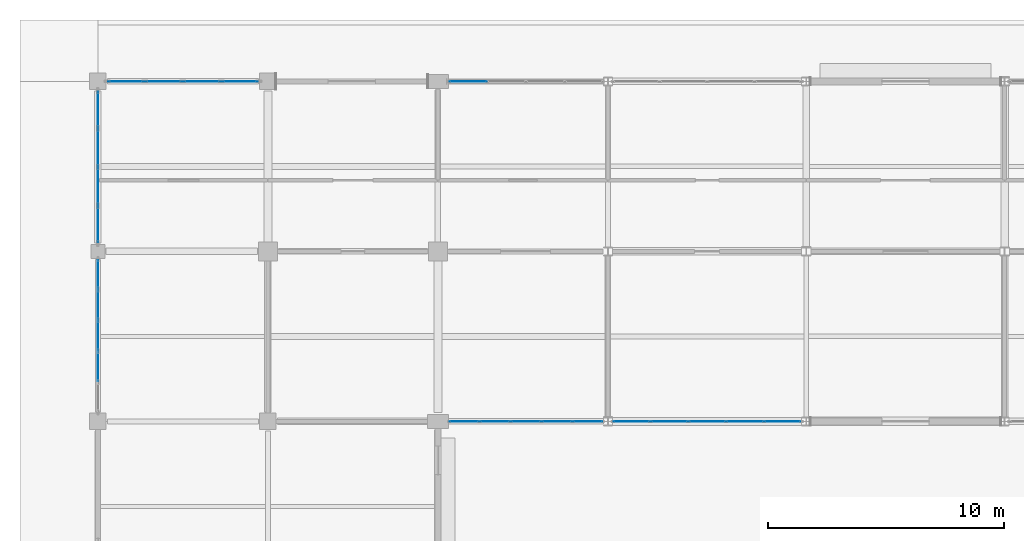
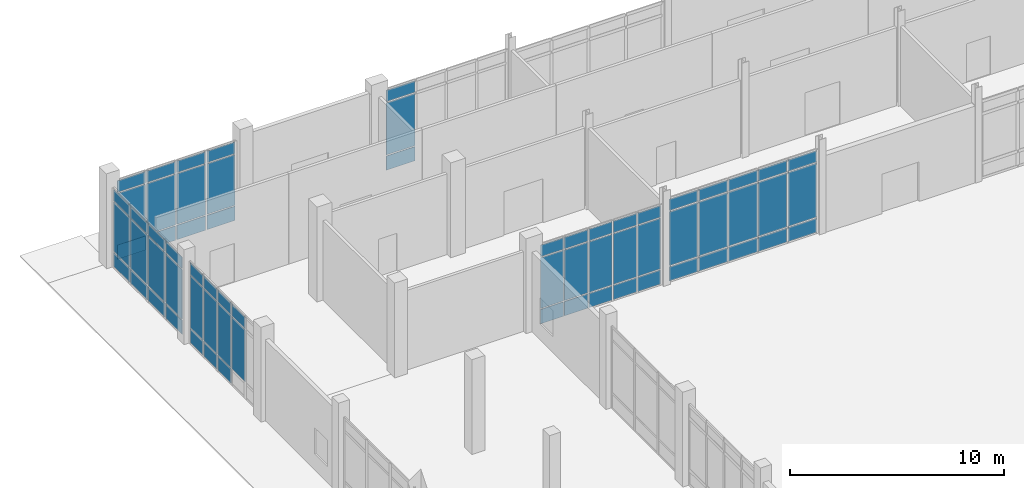
# One storey, part 148 of 229: 68 plates, 6 elements without a shape of their own.
"""IFC4 building model written with IfcOpenShell, lengths in metres."""

import ifcopenshell
import ifcopenshell.guid

model = None  # the IFC model being written
_history = None  # IfcOwnerHistory: only IFC2X3 demands one
_inside = {}  # id of a spatial element -> (the spatial element, [elements in it])
_under = {}  # id of a project, library or spatial element -> (it, [spatial elements below it])
_declared = {}  # id of a project -> (the project, [libraries it declares])
_typed = {}  # id of a type object -> (the type object, [elements of that type])
_made_of = {}  # id of a material, layer set ... -> (it, [elements and type objects made of it])


def new_model(schema):
    """Start an empty IFC model of exactly this schema.

    Asked for "IFC4X3", IfcOpenShell would pick the latest addendum, in which some entities
    have other attributes; the version numbers below select the first issue.
    IFC2X3 requires an IfcOwnerHistory on every rooted entity: one is made here for all.
    """
    global model, _history
    if schema == "IFC4X3":
        model = ifcopenshell.file(schema_version=(4, 3, 0, 0))
    else:
        model = ifcopenshell.file(schema=schema)
    _inside.clear()
    _under.clear()
    _declared.clear()
    _typed.clear()
    _made_of.clear()
    _history = None
    if model.schema == "IFC2X3":
        org = make("IfcOrganization", Name="unknown")
        user = make(
            "IfcPersonAndOrganization",
            ThePerson=make("IfcPerson", FamilyName="unknown"),
            TheOrganization=org,
        )
        app = make(
            "IfcApplication",
            ApplicationDeveloper=org,
            Version="unknown",
            ApplicationFullName="unknown",
            ApplicationIdentifier="unknown",
        )
        _history = make(
            "IfcOwnerHistory",
            OwningUser=user,
            OwningApplication=app,
            ChangeAction="ADDED",
            CreationDate=0,
        )
    return model


def make(cls, **values):
    """One entity of the class cls with the attributes given. An attribute that is None is left unset."""
    return model.create_entity(
        cls, **{name: value for name, value in values.items() if value is not None}
    )


def rooted(cls, **values):
    """An entity with a GlobalId (a new one), such as an element, a storey or a relation."""
    return make(cls, GlobalId=ifcopenshell.guid.new(), OwnerHistory=_history, **values)


def si_unit(unit_type, name, prefix=None):
    """IfcSIUnit, for example si_unit("LENGTHUNIT", "METRE", prefix="MILLI")."""
    return make("IfcSIUnit", UnitType=unit_type, Prefix=prefix, Name=name)


def assignment(units):
    """IfcUnitAssignment: the units of a project."""
    return None if units is None else make("IfcUnitAssignment", Units=units)


def point(xyz):
    """IfcCartesianPoint."""
    return None if xyz is None else make("IfcCartesianPoint", Coordinates=xyz)


def direction(xyz):
    """IfcDirection."""
    return None if xyz is None else make("IfcDirection", DirectionRatios=xyz)


def frame(location, z_axis=None, x_axis=None):
    """IfcAxis2Placement3D, a coordinate frame: its origin and axes. An axis left out is left unset."""
    return make(
        "IfcAxis2Placement3D",
        Location=point(location),
        Axis=direction(z_axis),
        RefDirection=direction(x_axis),
    )


def frame_2d(location, x_axis=None):
    """IfcAxis2Placement2D, a coordinate frame in the plane: its origin and x axis."""
    return make(
        "IfcAxis2Placement2D", Location=point(location), RefDirection=direction(x_axis)
    )


def origin():
    """The frame at (0, 0, 0) with its axes left unset."""
    return frame((0.0, 0.0, 0.0))


def origin_2d():
    """The frame at (0, 0) in the plane with its x axis left unset."""
    return frame_2d((0.0, 0.0))


def place(relative_to, where):
    """IfcLocalPlacement: puts the frame where relative to a parent placement (None: the world)."""
    return make(
        "IfcLocalPlacement", PlacementRelTo=relative_to, RelativePlacement=where
    )


def context(
    kind, dimensions, precision=None, world=None, true_north=None, identifier=None
):
    """IfcGeometricRepresentationContext, for example the 3D "Model" context."""
    return make(
        "IfcGeometricRepresentationContext",
        ContextIdentifier=identifier,
        ContextType=kind,
        CoordinateSpaceDimension=dimensions,
        Precision=precision,
        WorldCoordinateSystem=world,
        TrueNorth=true_north,
    )


def subcontext(parent, identifier, kind, view, scale=None):
    """IfcGeometricRepresentationSubContext, for example "Body" below "Model"."""
    return make(
        "IfcGeometricRepresentationSubContext",
        ContextIdentifier=identifier,
        ContextType=kind,
        ParentContext=parent,
        TargetScale=scale,
        TargetView=view,
    )


def project(units=None, contexts=None):
    """IfcProject with its units and contexts."""
    return rooted(
        "IfcProject",
        Name="project",
        RepresentationContexts=contexts,
        UnitsInContext=assignment(units),
    )


def spatial(cls, under=None, at=None, **own):
    """A site, building, storey or space (cls), placed at a placement, below another one or the project."""
    s = rooted(cls, ObjectPlacement=at, **own)
    if under is not None:
        _under.setdefault(under.id(), (under, []))[1].append(s)
    return s


def profile(cls, at=None, kind="AREA", **sizes):
    """A parametric profile (cls). Its sizes go by their IFC names, for example OverallWidth=200.0."""
    return make(cls, ProfileType=kind, Position=at, **sizes)


def rectangle(**sizes):
    """IfcRectangleProfileDef."""
    return profile("IfcRectangleProfileDef", **sizes)


def extrude(swept, where, along, depth):
    """IfcExtrudedAreaSolid: the profile swept, set in the frame where, extruded along a direction by depth."""
    return make(
        "IfcExtrudedAreaSolid",
        SweptArea=swept,
        Position=where,
        ExtrudedDirection=direction(along),
        Depth=depth,
    )


def shape(context_of_items, identifier, shape_type, items):
    """IfcShapeRepresentation: the items that make up one representation, for example the "Body"."""
    return make(
        "IfcShapeRepresentation",
        ContextOfItems=context_of_items,
        RepresentationIdentifier=identifier,
        RepresentationType=shape_type,
        Items=items,
    )


def material(Name=None, Category=None):
    """IfcMaterial."""
    return make("IfcMaterial", Name=Name, Category=Category)


def layer(
    of_material, thickness, ventilated=None, Name=None, Category=None, Priority=None
):
    """IfcMaterialLayer: one layer of a wall or slab, of a material (None: an air gap)."""
    return make(
        "IfcMaterialLayer",
        Material=of_material,
        LayerThickness=thickness,
        IsVentilated=ventilated,
        Name=Name,
        Category=Category,
        Priority=Priority,
    )


def layer_set(layers, Name=None):
    """IfcMaterialLayerSet."""
    return make("IfcMaterialLayerSet", MaterialLayers=layers, LayerSetName=Name)


def made_of(thing, what):
    """Note that an element or type object is made of a material, layer set ...; save() writes the relation."""
    if what is not None:
        _made_of.setdefault(what.id(), (what, []))[1].append(thing)
    return thing


def type_object(cls, material=None, **own):
    """A type object (cls), such as IfcWallType, which elements share."""
    return made_of(rooted(cls, **own), material)


def element(
    cls,
    number,
    at=None,
    inside=None,
    cuts=None,
    type_object=None,
    material=None,
    context=None,
    identifier="Body",
    shape_type=None,
    held_by="IfcProductDefinitionShape",
    body=None,
    shapes=None,
    **own,
):
    """One element of the class cls, such as IfcWall. Its Tag is "e" and its number.

    at: its placement. inside: the storey or other place that contains it. cuts: it is an
    opening in that element (IfcRelVoidsElement). A single representation is given by context,
    identifier, shape_type and body (its items); several are given by shapes. held_by: the class
    of the entity that holds the representations. save() writes the other relations.
    """
    e = rooted(cls, Tag="e%d" % number, ObjectPlacement=at, **own)
    if body is not None:
        shapes = [shape(context, identifier, shape_type, body)]
    if shapes is not None:
        e.Representation = make(held_by, Representations=shapes)
    if inside is not None:
        _inside.setdefault(inside.id(), (inside, []))[1].append(e)
    if cuts is not None:
        rooted(
            "IfcRelVoidsElement", RelatingBuildingElement=cuts, RelatedOpeningElement=e
        )
    if type_object is not None:
        _typed.setdefault(type_object.id(), (type_object, []))[1].append(e)
    return made_of(e, material)


def aggregate(whole, parts):
    """IfcRelAggregates: a whole, such as a stair, and the parts it consists of."""
    return rooted("IfcRelAggregates", RelatingObject=whole, RelatedObjects=parts)


def save(model, path):
    """Write the relations noted so far, then the file.

    IfcRelAggregates (storeys below a building ...), IfcRelContainedInSpatialStructure (elements
    in a storey), IfcRelDefinesByType, IfcRelAssociatesMaterial and IfcRelDeclares: one each for
    every whole, place, type object, material and project.
    """
    for whole, parts in _under.values():
        aggregate(whole, parts)
    for where, things in _inside.values():
        rooted(
            "IfcRelContainedInSpatialStructure",
            RelatedElements=things,
            RelatingStructure=where,
        )
    for kind, things in _typed.values():
        rooted("IfcRelDefinesByType", RelatedObjects=things, RelatingType=kind)
    for what, things in _made_of.values():
        rooted("IfcRelAssociatesMaterial", RelatedObjects=things, RelatingMaterial=what)
    for by, libraries in _declared.values():
        rooted("IfcRelDeclares", RelatingContext=by, RelatedDefinitions=libraries)
    model.write(path)


model = new_model("IFC4")

# Units and contexts
model_context = context("Model", 3, precision=1e-05, world=origin(), true_north=direction((0.0, 1.0)))
body_context = subcontext(model_context, "Body", "Model", "MODEL_VIEW")
ifc_project = project(units=[si_unit("LENGTHUNIT", "METRE"), si_unit("AREAUNIT", "SQUARE_METRE"), si_unit("VOLUMEUNIT", "CUBIC_METRE"), si_unit("PLANEANGLEUNIT", "RADIAN"), si_unit("MASSUNIT", "GRAM", prefix="KILO")], contexts=[model_context])

# Site, building, storey
site_placement = place(None, origin())
site = spatial("IfcSite", under=ifc_project, at=site_placement, CompositionType="ELEMENT")
building_placement = place(site_placement, origin())
building = spatial("IfcBuilding", under=site, at=building_placement, Name="Calvrana Isthmian Art Gallery", CompositionType="ELEMENT")
storey_placement = place(building_placement, origin())
storey = spatial("IfcBuildingStorey", under=building, at=storey_placement, Name="L00", CompositionType="ELEMENT", Elevation=0.0)

# Curtain wall, plates
ifc_material_1 = material(Name="Anodized bronze aluminium 6063-T6", Category="aluminium")
ifc_layer_1 = layer(ifc_material_1, 0.179931640625, Name="Anodized bronze aluminium 6063-T6")
ifc_layer_set_1 = layer_set([ifc_layer_1], Name="Anodized bronze aluminium 6063-T6")
curtain_wall_type_1 = type_object("IfcCurtainWallType", Name="CW-UNIT-066X46", PredefinedType="USERDEFINED", material=ifc_layer_set_1)
curtain_wall_1_placement = place(storey_placement, origin())
curtain_wall_1 = element("IfcCurtainWall", 1, at=curtain_wall_1_placement, inside=storey, type_object=curtain_wall_type_1, Name="Curtain wall CW-036", ObjectType="UNITISED CURTAIN WALL", PredefinedType="USERDEFINED")
ifc_material_2 = material(Name="Low-E laminated solar glass", Category="glass")
ifc_layer_2 = layer(ifc_material_2, 0.028076171875, Name="Low-E laminated solar glass")
ifc_layer_set_2 = layer_set([ifc_layer_2], Name="Low-E laminated solar glass")
plate_type = type_object("IfcPlateType", Name="CWP-VISION-28", PredefinedType="CURTAIN_PANEL", material=ifc_layer_set_2)
plate_1_placement = place(storey_placement, frame((20.7421875, 98.39990234375, 0.06005859375), z_axis=(0.0, 0.0, 1.0), x_axis=(-1.0, 0.0, 0.0)))
plate_1 = element("IfcPlate", 2, at=plate_1_placement, type_object=plate_type, Name="CW-036 panel 1.1", PredefinedType="CURTAIN_PANEL", context=body_context, shape_type="SweptSolid", body=[
    extrude(rectangle(XDim=1.22265625, YDim=0.028076171875, at=origin_2d()), origin(), (0.0, 0.0, 1.0), 0.81005859375),
])
plate_2_placement = place(storey_placement, frame((20.7421875, 98.39990234375, 0.93017578125), z_axis=(0.0, 0.0, 1.0), x_axis=(-1.0, 0.0, 0.0)))
plate_2 = element("IfcPlate", 3, at=plate_2_placement, type_object=plate_type, Name="CW-036 panel 1.2", PredefinedType="CURTAIN_PANEL", context=body_context, shape_type="SweptSolid", body=[
    extrude(rectangle(XDim=1.22265625, YDim=0.028076171875, at=origin_2d()), origin(), (0.0, 0.0, 1.0), 2.881103515625),
])
plate_3_placement = place(storey_placement, frame((20.7421875, 98.39990234375, 3.87109375), z_axis=(0.0, 0.0, 1.0), x_axis=(-1.0, 0.0, 0.0)))
plate_3 = element("IfcPlate", 4, at=plate_3_placement, type_object=plate_type, Name="CW-036 panel 1.3", PredefinedType="CURTAIN_PANEL", context=body_context, shape_type="SweptSolid", body=[
    extrude(rectangle(XDim=1.22265625, YDim=0.028076171875, at=origin_2d()), origin(), (0.0, 0.0, 1.0), 0.659912109375),
])
plate_4_placement = place(storey_placement, frame((19.4443359375, 98.39990234375, 0.06005859375), z_axis=(0.0, 0.0, 1.0), x_axis=(-1.0, 0.0, 0.0)))
plate_4 = element("IfcPlate", 5, at=plate_4_placement, type_object=plate_type, Name="CW-036 panel 2.1", PredefinedType="CURTAIN_PANEL", context=body_context, shape_type="SweptSolid", body=[
    extrude(rectangle(XDim=1.252685546875, YDim=0.028076171875, at=origin_2d()), origin(), (0.0, 0.0, 1.0), 0.81005859375),
])
plate_5_placement = place(storey_placement, frame((19.4443359375, 98.39990234375, 0.93017578125), z_axis=(0.0, 0.0, 1.0), x_axis=(-1.0, 0.0, 0.0)))
plate_5 = element("IfcPlate", 6, at=plate_5_placement, type_object=plate_type, Name="CW-036 panel 2.2", PredefinedType="CURTAIN_PANEL", context=body_context, shape_type="SweptSolid", body=[
    extrude(rectangle(XDim=1.252685546875, YDim=0.028076171875, at=origin_2d()), origin(), (0.0, 0.0, 1.0), 2.881103515625),
])
plate_6_placement = place(storey_placement, frame((19.4443359375, 98.39990234375, 3.87109375), z_axis=(0.0, 0.0, 1.0), x_axis=(-1.0, 0.0, 0.0)))
plate_6 = element("IfcPlate", 7, at=plate_6_placement, type_object=plate_type, Name="CW-036 panel 2.3", PredefinedType="CURTAIN_PANEL", context=body_context, shape_type="SweptSolid", body=[
    extrude(rectangle(XDim=1.252685546875, YDim=0.028076171875, at=origin_2d()), origin(), (0.0, 0.0, 1.0), 0.659912109375),
])
plate_7_placement = place(storey_placement, frame((18.1318359375, 98.39990234375, 0.06005859375), z_axis=(0.0, 0.0, 1.0), x_axis=(-1.0, 0.0, 0.0)))
plate_7 = element("IfcPlate", 8, at=plate_7_placement, type_object=plate_type, Name="CW-036 panel 3.1", PredefinedType="CURTAIN_PANEL", context=body_context, shape_type="SweptSolid", body=[
    extrude(rectangle(XDim=1.252685546875, YDim=0.028076171875, at=origin_2d()), origin(), (0.0, 0.0, 1.0), 0.81005859375),
])
plate_8_placement = place(storey_placement, frame((18.1318359375, 98.39990234375, 0.93017578125), z_axis=(0.0, 0.0, 1.0), x_axis=(-1.0, 0.0, 0.0)))
plate_8 = element("IfcPlate", 9, at=plate_8_placement, type_object=plate_type, Name="CW-036 panel 3.2", PredefinedType="CURTAIN_PANEL", context=body_context, shape_type="SweptSolid", body=[
    extrude(rectangle(XDim=1.252685546875, YDim=0.028076171875, at=origin_2d()), origin(), (0.0, 0.0, 1.0), 2.881103515625),
])
plate_9_placement = place(storey_placement, frame((18.1318359375, 98.39990234375, 3.87109375), z_axis=(0.0, 0.0, 1.0), x_axis=(-1.0, 0.0, 0.0)))
plate_9 = element("IfcPlate", 10, at=plate_9_placement, type_object=plate_type, Name="CW-036 panel 3.3", PredefinedType="CURTAIN_PANEL", context=body_context, shape_type="SweptSolid", body=[
    extrude(rectangle(XDim=1.252685546875, YDim=0.028076171875, at=origin_2d()), origin(), (0.0, 0.0, 1.0), 0.659912109375),
])
plate_10_placement = place(storey_placement, frame((16.819091796875, 98.39990234375, 0.06005859375), z_axis=(0.0, 0.0, 1.0), x_axis=(-1.0, 0.0, 0.0)))
plate_10 = element("IfcPlate", 11, at=plate_10_placement, type_object=plate_type, Name="CW-036 panel 4.1", PredefinedType="CURTAIN_PANEL", context=body_context, shape_type="SweptSolid", body=[
    extrude(rectangle(XDim=1.252685546875, YDim=0.028076171875, at=origin_2d()), origin(), (0.0, 0.0, 1.0), 0.81005859375),
])
plate_11_placement = place(storey_placement, frame((16.819091796875, 98.39990234375, 0.93017578125), z_axis=(0.0, 0.0, 1.0), x_axis=(-1.0, 0.0, 0.0)))
plate_11 = element("IfcPlate", 12, at=plate_11_placement, type_object=plate_type, Name="CW-036 panel 4.2", PredefinedType="CURTAIN_PANEL", context=body_context, shape_type="SweptSolid", body=[
    extrude(rectangle(XDim=1.252685546875, YDim=0.028076171875, at=origin_2d()), origin(), (0.0, 0.0, 1.0), 2.881103515625),
])
plate_12_placement = place(storey_placement, frame((16.819091796875, 98.39990234375, 3.87109375), z_axis=(0.0, 0.0, 1.0), x_axis=(-1.0, 0.0, 0.0)))
plate_12 = element("IfcPlate", 13, at=plate_12_placement, type_object=plate_type, Name="CW-036 panel 4.3", PredefinedType="CURTAIN_PANEL", context=body_context, shape_type="SweptSolid", body=[
    extrude(rectangle(XDim=1.252685546875, YDim=0.028076171875, at=origin_2d()), origin(), (0.0, 0.0, 1.0), 0.659912109375),
])
plate_13_placement = place(storey_placement, frame((15.521240234375, 98.39990234375, 0.06005859375), z_axis=(0.0, 0.0, 1.0), x_axis=(-1.0, 0.0, 0.0)))
plate_13 = element("IfcPlate", 14, at=plate_13_placement, type_object=plate_type, Name="CW-036 panel 5.1", PredefinedType="CURTAIN_PANEL", context=body_context, shape_type="SweptSolid", body=[
    extrude(rectangle(XDim=1.22265625, YDim=0.028076171875, at=origin_2d()), origin(), (0.0, 0.0, 1.0), 0.81005859375),
])
plate_14_placement = place(storey_placement, frame((15.521240234375, 98.39990234375, 0.93017578125), z_axis=(0.0, 0.0, 1.0), x_axis=(-1.0, 0.0, 0.0)))
plate_14 = element("IfcPlate", 15, at=plate_14_placement, type_object=plate_type, Name="CW-036 panel 5.2", PredefinedType="CURTAIN_PANEL", context=body_context, shape_type="SweptSolid", body=[
    extrude(rectangle(XDim=1.22265625, YDim=0.028076171875, at=origin_2d()), origin(), (0.0, 0.0, 1.0), 2.881103515625),
])
plate_15_placement = place(storey_placement, frame((15.521240234375, 98.39990234375, 3.87109375), z_axis=(0.0, 0.0, 1.0), x_axis=(-1.0, 0.0, 0.0)))
plate_15 = element("IfcPlate", 16, at=plate_15_placement, type_object=plate_type, Name="CW-036 panel 5.3", PredefinedType="CURTAIN_PANEL", context=body_context, shape_type="SweptSolid", body=[
    extrude(rectangle(XDim=1.22265625, YDim=0.028076171875, at=origin_2d()), origin(), (0.0, 0.0, 1.0), 0.659912109375),
])
aggregate(curtain_wall_1, [plate_1, plate_2, plate_3, plate_4, plate_5, plate_6, plate_7, plate_8, plate_9, plate_10, plate_11, plate_12, plate_13, plate_14, plate_15])

ifc_layer_3 = layer(ifc_material_1, 0.179931640625, Name="Anodized bronze aluminium 6063-T6")
ifc_layer_set_3 = layer_set([ifc_layer_3], Name="Anodized bronze aluminium 6063-T6")
curtain_wall_type_2 = type_object("IfcCurtainWallType", Name="CW-UNIT-080X48", PredefinedType="USERDEFINED", material=ifc_layer_set_3)
curtain_wall_2_placement = place(storey_placement, origin())
curtain_wall_2 = element("IfcCurtainWall", 17, at=curtain_wall_2_placement, inside=storey, type_object=curtain_wall_type_2, Name="Curtain wall CW-037", ObjectType="UNITISED CURTAIN WALL", PredefinedType="USERDEFINED")
plate_16_placement = place(storey_placement, frame((28.995849609375, 98.39990234375, 0.06494140625), z_axis=(0.0, 0.0, 1.0), x_axis=(-1.0, 0.0, 0.0)))
plate_16 = element("IfcPlate", 18, at=plate_16_placement, type_object=plate_type, Name="CW-037 panel 1.1", PredefinedType="CURTAIN_PANEL", context=body_context, shape_type="SweptSolid", body=[
    extrude(rectangle(XDim=1.515380859375, YDim=0.028076171875, at=origin_2d()), origin(), (0.0, 0.0, 1.0), 0.802490234375),
])
plate_17_placement = place(storey_placement, frame((28.995849609375, 98.39990234375, 0.9326171875), z_axis=(0.0, 0.0, 1.0), x_axis=(-1.0, 0.0, 0.0)))
plate_17 = element("IfcPlate", 19, at=plate_17_placement, type_object=plate_type, Name="CW-037 panel 1.2", PredefinedType="CURTAIN_PANEL", context=body_context, shape_type="SweptSolid", body=[
    extrude(rectangle(XDim=1.515380859375, YDim=0.028076171875, at=origin_2d()), origin(), (0.0, 0.0, 1.0), 3.069091796875),
])
plate_18_placement = place(storey_placement, frame((28.995849609375, 98.39990234375, 4.06640625), z_axis=(0.0, 0.0, 1.0), x_axis=(-1.0, 0.0, 0.0)))
plate_18 = element("IfcPlate", 20, at=plate_18_placement, type_object=plate_type, Name="CW-037 panel 1.3", PredefinedType="CURTAIN_PANEL", context=body_context, shape_type="SweptSolid", body=[
    extrude(rectangle(XDim=1.515380859375, YDim=0.028076171875, at=origin_2d()), origin(), (0.0, 0.0, 1.0), 0.652587890625),
])
plate_19_placement = place(storey_placement, frame((27.405517578125, 98.39990234375, 0.06494140625), z_axis=(0.0, 0.0, 1.0), x_axis=(-1.0, 0.0, 0.0)))
plate_19 = element("IfcPlate", 21, at=plate_19_placement, type_object=plate_type, Name="CW-037 panel 2.1", PredefinedType="CURTAIN_PANEL", context=body_context, shape_type="SweptSolid", body=[
    extrude(rectangle(XDim=1.54541015625, YDim=0.028076171875, at=origin_2d()), origin(), (0.0, 0.0, 1.0), 0.802490234375),
])
plate_20_placement = place(storey_placement, frame((27.405517578125, 98.39990234375, 0.9326171875), z_axis=(0.0, 0.0, 1.0), x_axis=(-1.0, 0.0, 0.0)))
plate_20 = element("IfcPlate", 22, at=plate_20_placement, type_object=plate_type, Name="CW-037 panel 2.2", PredefinedType="CURTAIN_PANEL", context=body_context, shape_type="SweptSolid", body=[
    extrude(rectangle(XDim=1.54541015625, YDim=0.028076171875, at=origin_2d()), origin(), (0.0, 0.0, 1.0), 3.069091796875),
])
plate_21_placement = place(storey_placement, frame((27.405517578125, 98.39990234375, 4.06640625), z_axis=(0.0, 0.0, 1.0), x_axis=(-1.0, 0.0, 0.0)))
plate_21 = element("IfcPlate", 23, at=plate_21_placement, type_object=plate_type, Name="CW-037 panel 2.3", PredefinedType="CURTAIN_PANEL", context=body_context, shape_type="SweptSolid", body=[
    extrude(rectangle(XDim=1.54541015625, YDim=0.028076171875, at=origin_2d()), origin(), (0.0, 0.0, 1.0), 0.652587890625),
])
plate_22_placement = place(storey_placement, frame((25.800048828125, 98.39990234375, 0.06494140625), z_axis=(0.0, 0.0, 1.0), x_axis=(-1.0, 0.0, 0.0)))
plate_22 = element("IfcPlate", 24, at=plate_22_placement, type_object=plate_type, Name="CW-037 panel 3.1", PredefinedType="CURTAIN_PANEL", context=body_context, shape_type="SweptSolid", body=[
    extrude(rectangle(XDim=1.54541015625, YDim=0.028076171875, at=origin_2d()), origin(), (0.0, 0.0, 1.0), 0.802490234375),
])
plate_23_placement = place(storey_placement, frame((25.800048828125, 98.39990234375, 0.9326171875), z_axis=(0.0, 0.0, 1.0), x_axis=(-1.0, 0.0, 0.0)))
plate_23 = element("IfcPlate", 25, at=plate_23_placement, type_object=plate_type, Name="CW-037 panel 3.2", PredefinedType="CURTAIN_PANEL", context=body_context, shape_type="SweptSolid", body=[
    extrude(rectangle(XDim=1.54541015625, YDim=0.028076171875, at=origin_2d()), origin(), (0.0, 0.0, 1.0), 3.069091796875),
])
plate_24_placement = place(storey_placement, frame((25.800048828125, 98.39990234375, 4.06640625), z_axis=(0.0, 0.0, 1.0), x_axis=(-1.0, 0.0, 0.0)))
plate_24 = element("IfcPlate", 26, at=plate_24_placement, type_object=plate_type, Name="CW-037 panel 3.3", PredefinedType="CURTAIN_PANEL", context=body_context, shape_type="SweptSolid", body=[
    extrude(rectangle(XDim=1.54541015625, YDim=0.028076171875, at=origin_2d()), origin(), (0.0, 0.0, 1.0), 0.652587890625),
])
plate_25_placement = place(storey_placement, frame((24.194580078125, 98.39990234375, 0.06494140625), z_axis=(0.0, 0.0, 1.0), x_axis=(-1.0, 0.0, 0.0)))
plate_25 = element("IfcPlate", 27, at=plate_25_placement, type_object=plate_type, Name="CW-037 panel 4.1", PredefinedType="CURTAIN_PANEL", context=body_context, shape_type="SweptSolid", body=[
    extrude(rectangle(XDim=1.54541015625, YDim=0.028076171875, at=origin_2d()), origin(), (0.0, 0.0, 1.0), 0.802490234375),
])
plate_26_placement = place(storey_placement, frame((24.194580078125, 98.39990234375, 0.9326171875), z_axis=(0.0, 0.0, 1.0), x_axis=(-1.0, 0.0, 0.0)))
plate_26 = element("IfcPlate", 28, at=plate_26_placement, type_object=plate_type, Name="CW-037 panel 4.2", PredefinedType="CURTAIN_PANEL", context=body_context, shape_type="SweptSolid", body=[
    extrude(rectangle(XDim=1.54541015625, YDim=0.028076171875, at=origin_2d()), origin(), (0.0, 0.0, 1.0), 3.069091796875),
])
plate_27_placement = place(storey_placement, frame((24.194580078125, 98.39990234375, 4.06640625), z_axis=(0.0, 0.0, 1.0), x_axis=(-1.0, 0.0, 0.0)))
plate_27 = element("IfcPlate", 29, at=plate_27_placement, type_object=plate_type, Name="CW-037 panel 4.3", PredefinedType="CURTAIN_PANEL", context=body_context, shape_type="SweptSolid", body=[
    extrude(rectangle(XDim=1.54541015625, YDim=0.028076171875, at=origin_2d()), origin(), (0.0, 0.0, 1.0), 0.652587890625),
])
plate_28_placement = place(storey_placement, frame((22.604248046875, 98.39990234375, 0.06494140625), z_axis=(0.0, 0.0, 1.0), x_axis=(-1.0, 0.0, 0.0)))
plate_28 = element("IfcPlate", 30, at=plate_28_placement, type_object=plate_type, Name="CW-037 panel 5.1", PredefinedType="CURTAIN_PANEL", context=body_context, shape_type="SweptSolid", body=[
    extrude(rectangle(XDim=1.515380859375, YDim=0.028076171875, at=origin_2d()), origin(), (0.0, 0.0, 1.0), 0.802490234375),
])
plate_29_placement = place(storey_placement, frame((22.604248046875, 98.39990234375, 0.9326171875), z_axis=(0.0, 0.0, 1.0), x_axis=(-1.0, 0.0, 0.0)))
plate_29 = element("IfcPlate", 31, at=plate_29_placement, type_object=plate_type, Name="CW-037 panel 5.2", PredefinedType="CURTAIN_PANEL", context=body_context, shape_type="SweptSolid", body=[
    extrude(rectangle(XDim=1.515380859375, YDim=0.028076171875, at=origin_2d()), origin(), (0.0, 0.0, 1.0), 3.069091796875),
])
plate_30_placement = place(storey_placement, frame((22.604248046875, 98.39990234375, 4.06640625), z_axis=(0.0, 0.0, 1.0), x_axis=(-1.0, 0.0, 0.0)))
plate_30 = element("IfcPlate", 32, at=plate_30_placement, type_object=plate_type, Name="CW-037 panel 5.3", PredefinedType="CURTAIN_PANEL", context=body_context, shape_type="SweptSolid", body=[
    extrude(rectangle(XDim=1.515380859375, YDim=0.028076171875, at=origin_2d()), origin(), (0.0, 0.0, 1.0), 0.652587890625),
])
aggregate(curtain_wall_2, [plate_16, plate_17, plate_18, plate_19, plate_20, plate_21, plate_22, plate_23, plate_24, plate_25, plate_26, plate_27, plate_28, plate_29, plate_30])

ifc_layer_4 = layer(ifc_material_1, 0.179931640625, Name="Anodized bronze aluminium 6063-T6")
ifc_layer_set_4 = layer_set([ifc_layer_4], Name="Anodized bronze aluminium 6063-T6")
curtain_wall_type_3 = type_object("IfcCurtainWallType", Name="CW-STICK-065X46", PredefinedType="NOTDEFINED", material=ifc_layer_set_4)
curtain_wall_3_placement = place(storey_placement, origin())
curtain_wall_3 = element("IfcCurtainWall", 33, at=curtain_wall_3_placement, inside=storey, type_object=curtain_wall_type_3, Name="Curtain wall CW-041", PredefinedType="NOTDEFINED")
plate_31_placement = place(storey_placement, frame((1.1826171875, 112.800048828125, 0.06005859375), z_axis=(0.0, 0.0, 1.0), x_axis=(1.0, 0.0, 0.0)))
plate_31 = element("IfcPlate", 34, at=plate_31_placement, type_object=plate_type, Name="CW-041 panel 1.1", PredefinedType="CURTAIN_PANEL", context=body_context, shape_type="SweptSolid", body=[
    extrude(rectangle(XDim=1.5048828125, YDim=0.028076171875, at=origin_2d()), origin(), (0.0, 0.0, 1.0), 0.81005859375),
])
plate_32_placement = place(storey_placement, frame((1.1826171875, 112.800048828125, 0.93017578125), z_axis=(0.0, 0.0, 1.0), x_axis=(1.0, 0.0, 0.0)))
plate_32 = element("IfcPlate", 35, at=plate_32_placement, type_object=plate_type, Name="CW-041 panel 1.2", PredefinedType="CURTAIN_PANEL", context=body_context, shape_type="SweptSolid", body=[
    extrude(rectangle(XDim=1.5048828125, YDim=0.028076171875, at=origin_2d()), origin(), (0.0, 0.0, 1.0), 2.881103515625),
])
plate_33_placement = place(storey_placement, frame((1.1826171875, 112.800048828125, 3.87109375), z_axis=(0.0, 0.0, 1.0), x_axis=(1.0, 0.0, 0.0)))
plate_33 = element("IfcPlate", 36, at=plate_33_placement, type_object=plate_type, Name="CW-041 panel 1.3", PredefinedType="CURTAIN_PANEL", context=body_context, shape_type="SweptSolid", body=[
    extrude(rectangle(XDim=1.5048828125, YDim=0.028076171875, at=origin_2d()), origin(), (0.0, 0.0, 1.0), 0.659912109375),
])
plate_34_placement = place(storey_placement, frame((2.78759765625, 112.800048828125, 0.06005859375), z_axis=(0.0, 0.0, 1.0), x_axis=(1.0, 0.0, 0.0)))
plate_34 = element("IfcPlate", 37, at=plate_34_placement, type_object=plate_type, Name="CW-041 panel 2.1", PredefinedType="CURTAIN_PANEL", context=body_context, shape_type="SweptSolid", body=[
    extrude(rectangle(XDim=1.544921875, YDim=0.028076171875, at=origin_2d()), origin(), (0.0, 0.0, 1.0), 0.81005859375),
])
plate_35_placement = place(storey_placement, frame((2.78759765625, 112.800048828125, 0.93017578125), z_axis=(0.0, 0.0, 1.0), x_axis=(1.0, 0.0, 0.0)))
plate_35 = element("IfcPlate", 38, at=plate_35_placement, type_object=plate_type, Name="CW-041 panel 2.2", PredefinedType="CURTAIN_PANEL", context=body_context, shape_type="SweptSolid", body=[
    extrude(rectangle(XDim=1.544921875, YDim=0.028076171875, at=origin_2d()), origin(), (0.0, 0.0, 1.0), 2.881103515625),
])
plate_36_placement = place(storey_placement, frame((2.78759765625, 112.800048828125, 3.87109375), z_axis=(0.0, 0.0, 1.0), x_axis=(1.0, 0.0, 0.0)))
plate_36 = element("IfcPlate", 39, at=plate_36_placement, type_object=plate_type, Name="CW-041 panel 2.3", PredefinedType="CURTAIN_PANEL", context=body_context, shape_type="SweptSolid", body=[
    extrude(rectangle(XDim=1.544921875, YDim=0.028076171875, at=origin_2d()), origin(), (0.0, 0.0, 1.0), 0.659912109375),
])
plate_37_placement = place(storey_placement, frame((4.41259765625, 112.800048828125, 0.06005859375), z_axis=(0.0, 0.0, 1.0), x_axis=(1.0, 0.0, 0.0)))
plate_37 = element("IfcPlate", 40, at=plate_37_placement, type_object=plate_type, Name="CW-041 panel 3.1", PredefinedType="CURTAIN_PANEL", context=body_context, shape_type="SweptSolid", body=[
    extrude(rectangle(XDim=1.544921875, YDim=0.028076171875, at=origin_2d()), origin(), (0.0, 0.0, 1.0), 0.81005859375),
])
plate_38_placement = place(storey_placement, frame((4.41259765625, 112.800048828125, 0.93017578125), z_axis=(0.0, 0.0, 1.0), x_axis=(1.0, 0.0, 0.0)))
plate_38 = element("IfcPlate", 41, at=plate_38_placement, type_object=plate_type, Name="CW-041 panel 3.2", PredefinedType="CURTAIN_PANEL", context=body_context, shape_type="SweptSolid", body=[
    extrude(rectangle(XDim=1.544921875, YDim=0.028076171875, at=origin_2d()), origin(), (0.0, 0.0, 1.0), 2.881103515625),
])
plate_39_placement = place(storey_placement, frame((4.41259765625, 112.800048828125, 3.87109375), z_axis=(0.0, 0.0, 1.0), x_axis=(1.0, 0.0, 0.0)))
plate_39 = element("IfcPlate", 42, at=plate_39_placement, type_object=plate_type, Name="CW-041 panel 3.3", PredefinedType="CURTAIN_PANEL", context=body_context, shape_type="SweptSolid", body=[
    extrude(rectangle(XDim=1.544921875, YDim=0.028076171875, at=origin_2d()), origin(), (0.0, 0.0, 1.0), 0.659912109375),
])
plate_40_placement = place(storey_placement, frame((6.017578125, 112.800048828125, 0.06005859375), z_axis=(0.0, 0.0, 1.0), x_axis=(1.0, 0.0, 0.0)))
plate_40 = element("IfcPlate", 43, at=plate_40_placement, type_object=plate_type, Name="CW-041 panel 4.1", PredefinedType="CURTAIN_PANEL", context=body_context, shape_type="SweptSolid", body=[
    extrude(rectangle(XDim=1.5048828125, YDim=0.028076171875, at=origin_2d()), origin(), (0.0, 0.0, 1.0), 0.81005859375),
])
plate_41_placement = place(storey_placement, frame((6.017578125, 112.800048828125, 0.93017578125), z_axis=(0.0, 0.0, 1.0), x_axis=(1.0, 0.0, 0.0)))
plate_41 = element("IfcPlate", 44, at=plate_41_placement, type_object=plate_type, Name="CW-041 panel 4.2", PredefinedType="CURTAIN_PANEL", context=body_context, shape_type="SweptSolid", body=[
    extrude(rectangle(XDim=1.5048828125, YDim=0.028076171875, at=origin_2d()), origin(), (0.0, 0.0, 1.0), 2.881103515625),
])
plate_42_placement = place(storey_placement, frame((6.017578125, 112.800048828125, 3.87109375), z_axis=(0.0, 0.0, 1.0), x_axis=(1.0, 0.0, 0.0)))
plate_42 = element("IfcPlate", 45, at=plate_42_placement, type_object=plate_type, Name="CW-041 panel 4.3", PredefinedType="CURTAIN_PANEL", context=body_context, shape_type="SweptSolid", body=[
    extrude(rectangle(XDim=1.5048828125, YDim=0.028076171875, at=origin_2d()), origin(), (0.0, 0.0, 1.0), 0.659912109375),
])
aggregate(curtain_wall_3, [plate_31, plate_32, plate_33, plate_34, plate_35, plate_36, plate_37, plate_38, plate_39, plate_40, plate_41, plate_42])

ifc_layer_5 = layer(ifc_material_1, 0.179931640625, Name="Anodized bronze aluminium 6063-T6")
ifc_layer_set_5 = layer_set([ifc_layer_5], Name="Anodized bronze aluminium 6063-T6")
curtain_wall_type_4 = type_object("IfcCurtainWallType", Name="CW-STICK-066X47", PredefinedType="NOTDEFINED", material=ifc_layer_set_5)
curtain_wall_4_placement = place(storey_placement, origin())
curtain_wall_4 = element("IfcCurtainWall", 46, at=curtain_wall_4_placement, inside=storey, type_object=curtain_wall_type_4, Name="Curtain wall CW-042", PredefinedType="NOTDEFINED")
plate_43_placement = place(storey_placement, frame((15.685546875, 112.800048828125, 0.06494140625), z_axis=(0.0, 0.0, 1.0), x_axis=(1.0, 0.0, 0.0)))
plate_43 = element("IfcPlate", 47, at=plate_43_placement, type_object=plate_type, Name="CW-042 panel 1.1", PredefinedType="CURTAIN_PANEL", context=body_context, shape_type="SweptSolid", body=[
    extrude(rectangle(XDim=1.551025390625, YDim=0.028076171875, at=origin_2d()), origin(), (0.0, 0.0, 1.0), 0.802490234375),
])
plate_44_placement = place(storey_placement, frame((15.685546875, 112.800048828125, 0.9326171875), z_axis=(0.0, 0.0, 1.0), x_axis=(1.0, 0.0, 0.0)))
plate_44 = element("IfcPlate", 48, at=plate_44_placement, type_object=plate_type, Name="CW-042 panel 1.2", PredefinedType="CURTAIN_PANEL", context=body_context, shape_type="SweptSolid", body=[
    extrude(rectangle(XDim=1.551025390625, YDim=0.028076171875, at=origin_2d()), origin(), (0.0, 0.0, 1.0), 2.962890625),
])
plate_45_placement = place(storey_placement, frame((15.685546875, 112.800048828125, 3.96044921875), z_axis=(0.0, 0.0, 1.0), x_axis=(1.0, 0.0, 0.0)))
plate_45 = element("IfcPlate", 49, at=plate_45_placement, type_object=plate_type, Name="CW-042 panel 1.3", PredefinedType="CURTAIN_PANEL", context=body_context, shape_type="SweptSolid", body=[
    extrude(rectangle(XDim=1.551025390625, YDim=0.028076171875, at=origin_2d()), origin(), (0.0, 0.0, 1.0), 0.652587890625),
])
aggregate(curtain_wall_4, [plate_43, plate_44, plate_45])

ifc_layer_6 = layer(ifc_material_1, 0.179931640625, Name="Anodized bronze aluminium 6063-T6")
ifc_layer_set_6 = layer_set([ifc_layer_6], Name="Anodized bronze aluminium 6063-T6")
curtain_wall_type_5 = type_object("IfcCurtainWallType", Name="CW-UNIT-065X47", PredefinedType="USERDEFINED", material=ifc_layer_set_6)
curtain_wall_5_placement = place(storey_placement, origin())
curtain_wall_5 = element("IfcCurtainWall", 50, at=curtain_wall_5_placement, inside=storey, type_object=curtain_wall_type_5, Name="Curtain wall CW-052", ObjectType="UNITISED CURTAIN WALL", PredefinedType="USERDEFINED")
plate_46_placement = place(storey_placement, frame((0.0, 100.715087890625, 0.9326171875), z_axis=(0.0, 0.0, 1.0), x_axis=(0.0, 1.0, 0.0)))
plate_46 = element("IfcPlate", 51, at=plate_46_placement, type_object=plate_type, Name="CW-052 panel 2.2", PredefinedType="CURTAIN_PANEL", context=body_context, shape_type="SweptSolid", body=[
    extrude(rectangle(XDim=1.235107421875, YDim=0.028076171875, at=origin_2d()), origin(), (0.0, 0.0, 1.0), 2.962890625),
])
plate_47_placement = place(storey_placement, frame((0.0, 100.715087890625, 3.96044921875), z_axis=(0.0, 0.0, 1.0), x_axis=(0.0, 1.0, 0.0)))
plate_47 = element("IfcPlate", 52, at=plate_47_placement, type_object=plate_type, Name="CW-052 panel 2.3", PredefinedType="CURTAIN_PANEL", context=body_context, shape_type="SweptSolid", body=[
    extrude(rectangle(XDim=1.235107421875, YDim=0.028076171875, at=origin_2d()), origin(), (0.0, 0.0, 1.0), 0.652587890625),
])
plate_48_placement = place(storey_placement, frame((0.0, 102.02490234375, 0.06494140625), z_axis=(0.0, 0.0, 1.0), x_axis=(0.0, 1.0, 0.0)))
plate_48 = element("IfcPlate", 53, at=plate_48_placement, type_object=plate_type, Name="CW-052 panel 3.1", PredefinedType="CURTAIN_PANEL", context=body_context, shape_type="SweptSolid", body=[
    extrude(rectangle(XDim=1.235107421875, YDim=0.028076171875, at=origin_2d()), origin(), (0.0, 0.0, 1.0), 0.802490234375),
])
plate_49_placement = place(storey_placement, frame((0.0, 102.02490234375, 0.9326171875), z_axis=(0.0, 0.0, 1.0), x_axis=(0.0, 1.0, 0.0)))
plate_49 = element("IfcPlate", 54, at=plate_49_placement, type_object=plate_type, Name="CW-052 panel 3.2", PredefinedType="CURTAIN_PANEL", context=body_context, shape_type="SweptSolid", body=[
    extrude(rectangle(XDim=1.235107421875, YDim=0.028076171875, at=origin_2d()), origin(), (0.0, 0.0, 1.0), 2.962890625),
])
plate_50_placement = place(storey_placement, frame((0.0, 102.02490234375, 3.96044921875), z_axis=(0.0, 0.0, 1.0), x_axis=(0.0, 1.0, 0.0)))
plate_50 = element("IfcPlate", 55, at=plate_50_placement, type_object=plate_type, Name="CW-052 panel 3.3", PredefinedType="CURTAIN_PANEL", context=body_context, shape_type="SweptSolid", body=[
    extrude(rectangle(XDim=1.235107421875, YDim=0.028076171875, at=origin_2d()), origin(), (0.0, 0.0, 1.0), 0.652587890625),
])
plate_51_placement = place(storey_placement, frame((0.0, 103.3349609375, 0.06494140625), z_axis=(0.0, 0.0, 1.0), x_axis=(0.0, 1.0, 0.0)))
plate_51 = element("IfcPlate", 56, at=plate_51_placement, type_object=plate_type, Name="CW-052 panel 4.1", PredefinedType="CURTAIN_PANEL", context=body_context, shape_type="SweptSolid", body=[
    extrude(rectangle(XDim=1.235107421875, YDim=0.028076171875, at=origin_2d()), origin(), (0.0, 0.0, 1.0), 0.802490234375),
])
plate_52_placement = place(storey_placement, frame((0.0, 103.3349609375, 0.9326171875), z_axis=(0.0, 0.0, 1.0), x_axis=(0.0, 1.0, 0.0)))
plate_52 = element("IfcPlate", 57, at=plate_52_placement, type_object=plate_type, Name="CW-052 panel 4.2", PredefinedType="CURTAIN_PANEL", context=body_context, shape_type="SweptSolid", body=[
    extrude(rectangle(XDim=1.235107421875, YDim=0.028076171875, at=origin_2d()), origin(), (0.0, 0.0, 1.0), 2.962890625),
])
plate_53_placement = place(storey_placement, frame((0.0, 103.3349609375, 3.96044921875), z_axis=(0.0, 0.0, 1.0), x_axis=(0.0, 1.0, 0.0)))
plate_53 = element("IfcPlate", 58, at=plate_53_placement, type_object=plate_type, Name="CW-052 panel 4.3", PredefinedType="CURTAIN_PANEL", context=body_context, shape_type="SweptSolid", body=[
    extrude(rectangle(XDim=1.235107421875, YDim=0.028076171875, at=origin_2d()), origin(), (0.0, 0.0, 1.0), 0.652587890625),
])
plate_54_placement = place(storey_placement, frame((0.0, 104.626220703125, 0.06494140625), z_axis=(0.0, 0.0, 1.0), x_axis=(0.0, 1.0, 0.0)))
plate_54 = element("IfcPlate", 59, at=plate_54_placement, type_object=plate_type, Name="CW-052 panel 5.1", PredefinedType="CURTAIN_PANEL", context=body_context, shape_type="SweptSolid", body=[
    extrude(rectangle(XDim=1.197509765625, YDim=0.028076171875, at=origin_2d()), origin(), (0.0, 0.0, 1.0), 0.802490234375),
])
plate_55_placement = place(storey_placement, frame((0.0, 104.626220703125, 0.9326171875), z_axis=(0.0, 0.0, 1.0), x_axis=(0.0, 1.0, 0.0)))
plate_55 = element("IfcPlate", 60, at=plate_55_placement, type_object=plate_type, Name="CW-052 panel 5.2", PredefinedType="CURTAIN_PANEL", context=body_context, shape_type="SweptSolid", body=[
    extrude(rectangle(XDim=1.197509765625, YDim=0.028076171875, at=origin_2d()), origin(), (0.0, 0.0, 1.0), 2.962890625),
])
plate_56_placement = place(storey_placement, frame((0.0, 104.626220703125, 3.96044921875), z_axis=(0.0, 0.0, 1.0), x_axis=(0.0, 1.0, 0.0)))
plate_56 = element("IfcPlate", 61, at=plate_56_placement, type_object=plate_type, Name="CW-052 panel 5.3", PredefinedType="CURTAIN_PANEL", context=body_context, shape_type="SweptSolid", body=[
    extrude(rectangle(XDim=1.197509765625, YDim=0.028076171875, at=origin_2d()), origin(), (0.0, 0.0, 1.0), 0.652587890625),
])
aggregate(curtain_wall_5, [plate_46, plate_47, plate_48, plate_49, plate_50, plate_51, plate_52, plate_53, plate_54, plate_55, plate_56])

ifc_layer_7 = layer(ifc_material_1, 0.179931640625, Name="Anodized bronze aluminium 6063-T6")
ifc_layer_set_7 = layer_set([ifc_layer_7], Name="Anodized bronze aluminium 6063-T6")
curtain_wall_type_6 = type_object("IfcCurtainWallType", Name="CW-UNIT-065X45", PredefinedType="USERDEFINED", material=ifc_layer_set_7)
curtain_wall_6_placement = place(storey_placement, origin())
curtain_wall_6 = element("IfcCurtainWall", 62, at=curtain_wall_6_placement, inside=storey, type_object=curtain_wall_type_6, Name="Curtain wall CW-053", ObjectType="UNITISED CURTAIN WALL", PredefinedType="USERDEFINED")
plate_57_placement = place(storey_placement, frame((0.0, 106.73876953125, 0.070068359375), z_axis=(0.0, 0.0, 1.0), x_axis=(0.0, 1.0, 0.0)))
plate_57 = element("IfcPlate", 63, at=plate_57_placement, type_object=plate_type, Name="CW-053 panel 1.1", PredefinedType="CURTAIN_PANEL", context=body_context, shape_type="SweptSolid", body=[
    extrude(rectangle(XDim=1.517578125, YDim=0.028076171875, at=origin_2d()), origin(), (0.0, 0.0, 1.0), 0.794921875),
])
plate_58_placement = place(storey_placement, frame((0.0, 106.73876953125, 0.93505859375), z_axis=(0.0, 0.0, 1.0), x_axis=(0.0, 1.0, 0.0)))
plate_58 = element("IfcPlate", 64, at=plate_58_placement, type_object=plate_type, Name="CW-053 panel 1.2", PredefinedType="CURTAIN_PANEL", context=body_context, shape_type="SweptSolid", body=[
    extrude(rectangle(XDim=1.517578125, YDim=0.028076171875, at=origin_2d()), origin(), (0.0, 0.0, 1.0), 2.80810546875),
])
plate_59_placement = place(storey_placement, frame((0.0, 106.73876953125, 3.81298828125), z_axis=(0.0, 0.0, 1.0), x_axis=(0.0, 1.0, 0.0)))
plate_59 = element("IfcPlate", 65, at=plate_59_placement, type_object=plate_type, Name="CW-053 panel 1.3", PredefinedType="CURTAIN_PANEL", context=body_context, shape_type="SweptSolid", body=[
    extrude(rectangle(XDim=1.517578125, YDim=0.028076171875, at=origin_2d()), origin(), (0.0, 0.0, 1.0), 0.64501953125),
])
plate_60_placement = place(storey_placement, frame((0.0, 108.356201171875, 0.070068359375), z_axis=(0.0, 0.0, 1.0), x_axis=(0.0, 1.0, 0.0)))
plate_60 = element("IfcPlate", 66, at=plate_60_placement, type_object=plate_type, Name="CW-053 panel 2.1", PredefinedType="CURTAIN_PANEL", context=body_context, shape_type="SweptSolid", body=[
    extrude(rectangle(XDim=1.5576171875, YDim=0.028076171875, at=origin_2d()), origin(), (0.0, 0.0, 1.0), 0.794921875),
])
plate_61_placement = place(storey_placement, frame((0.0, 108.356201171875, 0.93505859375), z_axis=(0.0, 0.0, 1.0), x_axis=(0.0, 1.0, 0.0)))
plate_61 = element("IfcPlate", 67, at=plate_61_placement, type_object=plate_type, Name="CW-053 panel 2.2", PredefinedType="CURTAIN_PANEL", context=body_context, shape_type="SweptSolid", body=[
    extrude(rectangle(XDim=1.5576171875, YDim=0.028076171875, at=origin_2d()), origin(), (0.0, 0.0, 1.0), 2.80810546875),
])
plate_62_placement = place(storey_placement, frame((0.0, 108.356201171875, 3.81298828125), z_axis=(0.0, 0.0, 1.0), x_axis=(0.0, 1.0, 0.0)))
plate_62 = element("IfcPlate", 68, at=plate_62_placement, type_object=plate_type, Name="CW-053 panel 2.3", PredefinedType="CURTAIN_PANEL", context=body_context, shape_type="SweptSolid", body=[
    extrude(rectangle(XDim=1.5576171875, YDim=0.028076171875, at=origin_2d()), origin(), (0.0, 0.0, 1.0), 0.64501953125),
])
plate_63_placement = place(storey_placement, frame((0.0, 109.99365234375, 0.070068359375), z_axis=(0.0, 0.0, 1.0), x_axis=(0.0, 1.0, 0.0)))
plate_63 = element("IfcPlate", 69, at=plate_63_placement, type_object=plate_type, Name="CW-053 panel 3.1", PredefinedType="CURTAIN_PANEL", context=body_context, shape_type="SweptSolid", body=[
    extrude(rectangle(XDim=1.5576171875, YDim=0.028076171875, at=origin_2d()), origin(), (0.0, 0.0, 1.0), 0.794921875),
])
plate_64_placement = place(storey_placement, frame((0.0, 109.99365234375, 0.93505859375), z_axis=(0.0, 0.0, 1.0), x_axis=(0.0, 1.0, 0.0)))
plate_64 = element("IfcPlate", 70, at=plate_64_placement, type_object=plate_type, Name="CW-053 panel 3.2", PredefinedType="CURTAIN_PANEL", context=body_context, shape_type="SweptSolid", body=[
    extrude(rectangle(XDim=1.5576171875, YDim=0.028076171875, at=origin_2d()), origin(), (0.0, 0.0, 1.0), 2.80810546875),
])
plate_65_placement = place(storey_placement, frame((0.0, 109.99365234375, 3.81298828125), z_axis=(0.0, 0.0, 1.0), x_axis=(0.0, 1.0, 0.0)))
plate_65 = element("IfcPlate", 71, at=plate_65_placement, type_object=plate_type, Name="CW-053 panel 3.3", PredefinedType="CURTAIN_PANEL", context=body_context, shape_type="SweptSolid", body=[
    extrude(rectangle(XDim=1.5576171875, YDim=0.028076171875, at=origin_2d()), origin(), (0.0, 0.0, 1.0), 0.64501953125),
])
plate_66_placement = place(storey_placement, frame((0.0, 111.611328125, 0.070068359375), z_axis=(0.0, 0.0, 1.0), x_axis=(0.0, 1.0, 0.0)))
plate_66 = element("IfcPlate", 72, at=plate_66_placement, type_object=plate_type, Name="CW-053 panel 4.1", PredefinedType="CURTAIN_PANEL", context=body_context, shape_type="SweptSolid", body=[
    extrude(rectangle(XDim=1.517578125, YDim=0.028076171875, at=origin_2d()), origin(), (0.0, 0.0, 1.0), 0.794921875),
])
plate_67_placement = place(storey_placement, frame((0.0, 111.611328125, 0.93505859375), z_axis=(0.0, 0.0, 1.0), x_axis=(0.0, 1.0, 0.0)))
plate_67 = element("IfcPlate", 73, at=plate_67_placement, type_object=plate_type, Name="CW-053 panel 4.2", PredefinedType="CURTAIN_PANEL", context=body_context, shape_type="SweptSolid", body=[
    extrude(rectangle(XDim=1.517578125, YDim=0.028076171875, at=origin_2d()), origin(), (0.0, 0.0, 1.0), 2.80810546875),
])
plate_68_placement = place(storey_placement, frame((0.0, 111.611328125, 3.81298828125), z_axis=(0.0, 0.0, 1.0), x_axis=(0.0, 1.0, 0.0)))
plate_68 = element("IfcPlate", 74, at=plate_68_placement, type_object=plate_type, Name="CW-053 panel 4.3", PredefinedType="CURTAIN_PANEL", context=body_context, shape_type="SweptSolid", body=[
    extrude(rectangle(XDim=1.517578125, YDim=0.028076171875, at=origin_2d()), origin(), (0.0, 0.0, 1.0), 0.64501953125),
])
aggregate(curtain_wall_6, [plate_57, plate_58, plate_59, plate_60, plate_61, plate_62, plate_63, plate_64, plate_65, plate_66, plate_67, plate_68])

save(model, "model.ifc")
